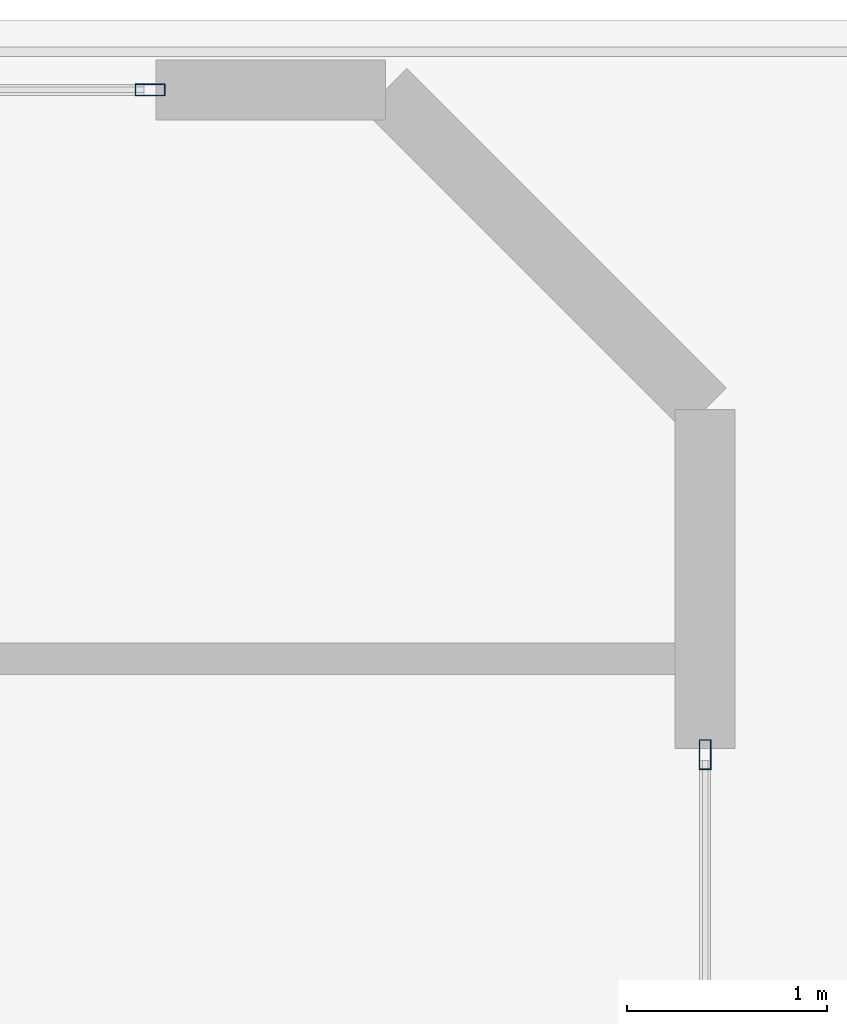
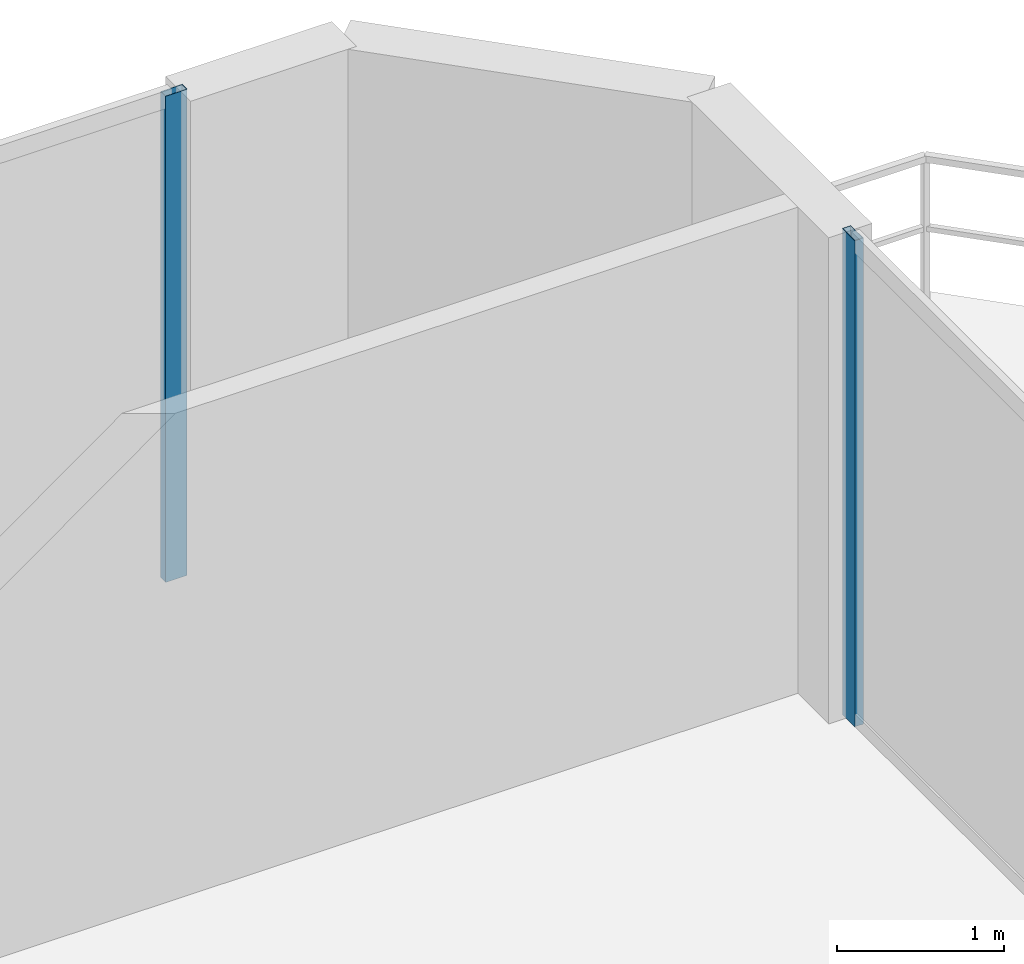
# One storey, part 14 of 19: 2 members, 2 elements without a shape of their own.
"""IFC4 building model written with IfcOpenShell, lengths in metres."""

from ifc_helpers import new_model, si_unit, direction, frame, origin, origin_2d, place, context, subcontext, project, spatial, hollow_rectangle, extrude, material, layer, layer_set, material_profile, profile_set, type_object, element, aggregate, save


model = new_model("IFC4")

# Units and contexts
model_context = context("Model", 3, precision=1e-05, world=origin(), true_north=direction((0.0, 1.0)))
body_context = subcontext(model_context, "Body", "Model", "MODEL_VIEW")
ifc_project = project(units=[si_unit("LENGTHUNIT", "METRE"), si_unit("AREAUNIT", "SQUARE_METRE"), si_unit("VOLUMEUNIT", "CUBIC_METRE"), si_unit("PLANEANGLEUNIT", "RADIAN"), si_unit("MASSUNIT", "GRAM", prefix="KILO")], contexts=[model_context])

# Site, building, storey
site_placement = place(None, origin())
site = spatial("IfcSite", under=ifc_project, at=site_placement, CompositionType="ELEMENT")
building_placement = place(site_placement, origin())
building = spatial("IfcBuilding", under=site, at=building_placement, Name="Zuhayl Quay Hotel", CompositionType="ELEMENT")
storey_placement = place(building_placement, frame((0.0, 0.0, 304.85009765625)))
storey = spatial("IfcBuildingStorey", under=building, at=storey_placement, Name="Crown 3", CompositionType="ELEMENT", Elevation=304.85009765625)

# Curtain wall, member
ifc_material_1 = material(Name="Anodised Aluminium 6063-T6", Category="aluminium")
ifc_layer = layer(ifc_material_1, 0.159912109375, Name="Anodised Aluminium 6063-T6", Category="aluminium")
ifc_layer_set = layer_set([ifc_layer], Name="Anodised Aluminium 6063-T6")
curtain_wall_type = type_object("IfcCurtainWallType", Name="CW_SYS_CRN", PredefinedType="USERDEFINED", material=ifc_layer_set)
curtain_wall_1_placement = place(storey_placement, origin())
curtain_wall_1 = element("IfcCurtainWall", 1, at=curtain_wall_1_placement, inside=storey, type_object=curtain_wall_type, Name="Crown 3 Curtain Wall ENV_CR3_E3_CW1", ObjectType="UNITISED CURTAIN WALL", PredefinedType="USERDEFINED")
ifc_material_2 = material(Name="Black-anodised aluminium 6063-T6", Category="aluminium")
ifc_material_profile = material_profile(ifc_material_2, hollow_rectangle(XDim=0.06005859375, YDim=0.14990234375, WallThickness=0.00341796875, at=origin_2d()), Name="ALU150X60")
ifc_profile_set = profile_set([ifc_material_profile], Name="Black-anodised aluminium 6063-T6")
member_type = type_object("IfcMemberType", Name="MB_CW_MUL_150", PredefinedType="MULLION", material=ifc_profile_set)
member_1_placement = place(storey_placement, frame((9.820068359375, 38.300048828125, 0.0), z_axis=(0.0, 0.0, 1.0), x_axis=(0.0, 1.0, 0.0)))
member_1 = element("IfcMember", 2, at=member_1_placement, type_object=member_type, Name="CW-CRN mullion 5", PredefinedType="MULLION", context=body_context, shape_type="SweptSolid", body=[
    extrude(hollow_rectangle(XDim=0.06005859375, YDim=0.14990234375, WallThickness=0.00341796875, at=origin_2d()), origin(), (0.0, 0.0, 1.0), 3.559814453125),
])
aggregate(curtain_wall_1, [member_1])

curtain_wall_2_placement = place(storey_placement, origin())
curtain_wall_2 = element("IfcCurtainWall", 3, at=curtain_wall_2_placement, inside=storey, type_object=curtain_wall_type, Name="Crown 3 Curtain Wall ENV_CR3_E5_CW1", ObjectType="UNITISED CURTAIN WALL", PredefinedType="USERDEFINED")
member_2_placement = place(storey_placement, frame((12.60009765625, 34.969970703125, 0.0), z_axis=(0.0, 0.0, 1.0), x_axis=(1.0, 0.0, 0.0)))
member_2 = element("IfcMember", 4, at=member_2_placement, type_object=member_type, Name="CW-CRN mullion 1", PredefinedType="MULLION", context=body_context, shape_type="SweptSolid", body=[
    extrude(hollow_rectangle(XDim=0.06005859375, YDim=0.14990234375, WallThickness=0.00341796875, at=origin_2d()), origin(), (0.0, 0.0, 1.0), 3.559814453125),
])
aggregate(curtain_wall_2, [member_2])

save(model, "model.ifc")
